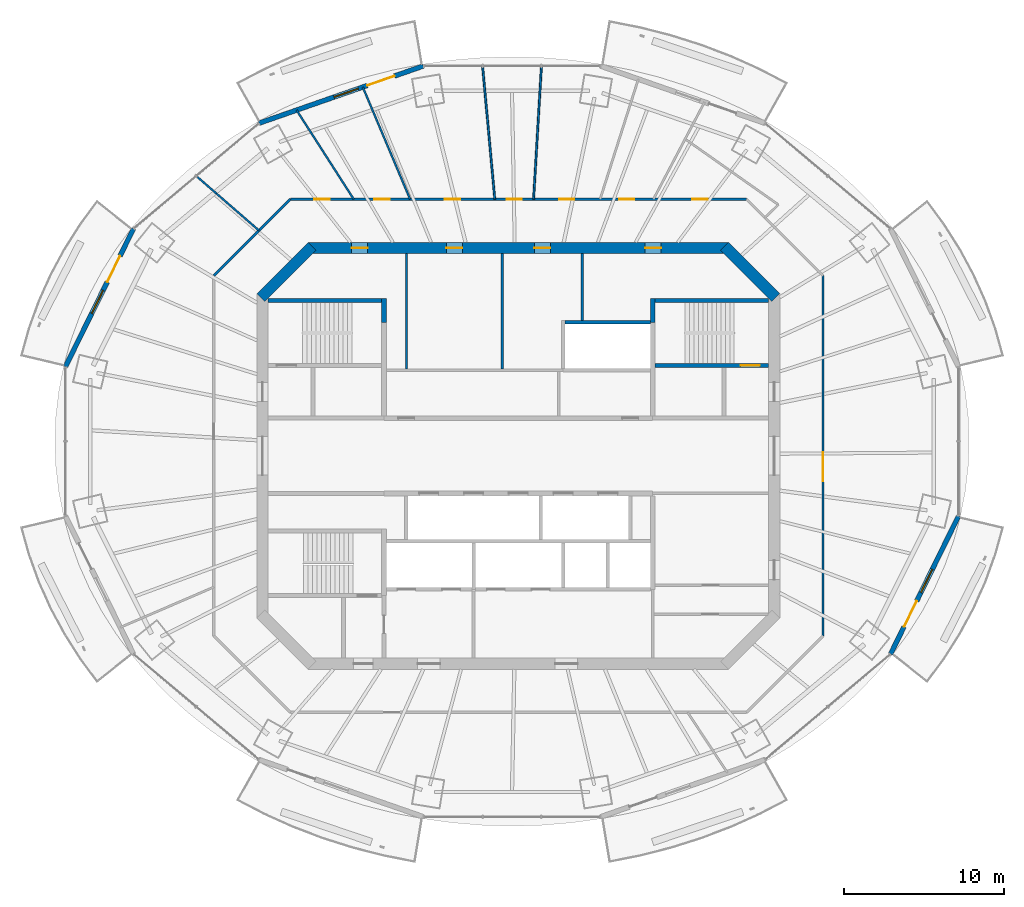
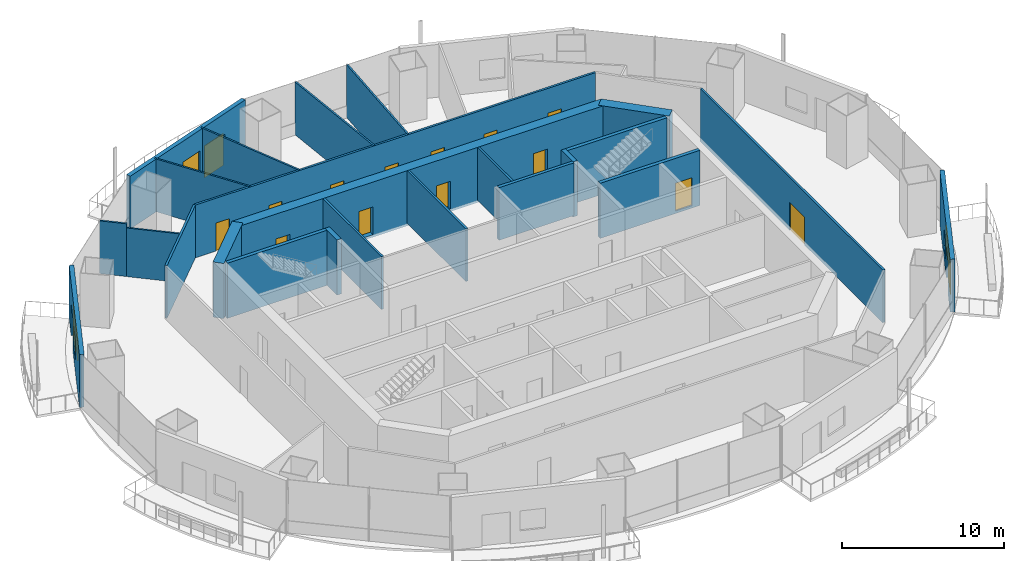
# One storey, part 10 of 16: 24 walls, 16 doors, 3 windows, 19 openings.
"""IFC4 building model written with IfcOpenShell, lengths in metres."""

from ifc_helpers import new_model, si_unit, direction, frame, frame_2d, origin, place, context, subcontext, project, spatial, rectangle, extrude, material, layer, layer_set, type_object, element, fill, save


model = new_model("IFC4")

# Units and contexts
model_context = context("Model", 3, precision=1e-05, world=origin(), true_north=direction((0.0, 1.0)))
body_context = subcontext(model_context, "Body", "Model", "MODEL_VIEW")
ifc_project = project(units=[si_unit("LENGTHUNIT", "METRE"), si_unit("AREAUNIT", "SQUARE_METRE"), si_unit("VOLUMEUNIT", "CUBIC_METRE"), si_unit("PLANEANGLEUNIT", "RADIAN"), si_unit("MASSUNIT", "GRAM", prefix="KILO")], contexts=[model_context])

# Site, building, storey
site_placement = place(None, origin())
site = spatial("IfcSite", under=ifc_project, at=site_placement, CompositionType="ELEMENT")
building_placement = place(site_placement, origin())
building = spatial("IfcBuilding", under=site, at=building_placement, Name="Marenthal Gate Tower", CompositionType="ELEMENT")
storey_placement = place(building_placement, frame((0.0, 0.0, 296.949951171875)))
storey = spatial("IfcBuildingStorey", under=building, at=storey_placement, Name="L66", CompositionType="ELEMENT", Elevation=296.949951171875)

# Wall
ifc_material_1 = material(Name="Concrete 60 MPa", Category="concrete")
ifc_layer_1 = layer(ifc_material_1, 0.699951171875)
ifc_layer_set_1 = layer_set([ifc_layer_1], Name="Core shear wall 700")
wall_type_1 = type_object("IfcWallType", Name="Core shear wall 700", PredefinedType="SHEAR", material=ifc_layer_set_1)
wall_1_placement = place(storey_placement, frame((16.1025390625, 9.8974609375, -0.179931640625), z_axis=(0.0, 0.0, 1.0), x_axis=(-0.707106781187, 0.707106781187, 0.0)))
element("IfcWall", 1, at=wall_1_placement, inside=storey, type_object=wall_type_1, Name="Core wall 03", PredefinedType="SHEAR", context=body_context, shape_type="SweptSolid", body=[
    extrude(rectangle(XDim=4.53271484375, YDim=0.699951171875, at=frame_2d((2.266357421875, 0.0))), origin(), (0.0, 0.0, 1.0), 4.14990234375),
])

# Wall, openings, doors
wall_2_placement = place(storey_placement, frame((13.14501953125, 13.0, -0.179931640625), z_axis=(0.0, 0.0, 1.0), x_axis=(-1.0, 0.0, 0.0)))
wall_2 = element("IfcWall", 2, at=wall_2_placement, inside=storey, type_object=wall_type_1, Name="Core wall 04", PredefinedType="SHEAR", context=body_context, shape_type="SweptSolid", body=[
    extrude(rectangle(XDim=26.2900390625, YDim=0.699951171875, at=frame_2d((13.14501953125, 0.0))), origin(), (0.0, 0.0, 1.0), 4.14990234375),
])
opening_1_placement = place(wall_2_placement, frame((22.57275390625, 0.0, 0.179931640625)))
opening_1 = element("IfcOpeningElement", 3, at=opening_1_placement, cuts=wall_2, Name="Opening D005.03", PredefinedType="OPENING", context=body_context, shape_type="SweptSolid", body=[
    extrude(rectangle(XDim=1.0, YDim=2.10009765625, at=frame_2d((0.5, 1.050048828125))), frame((0.0, 0.35986328125, 0.0), z_axis=(0.0, -1.0, 0.0), x_axis=(1.0, 0.0, 0.0)), (0.0, 0.0, 1.0), 0.719970703125),
])
opening_2_placement = place(wall_2_placement, frame((16.64501953125, 0.0, 0.179931640625)))
opening_2 = element("IfcOpeningElement", 4, at=opening_2_placement, cuts=wall_2, Name="Opening D005.04", PredefinedType="OPENING", context=body_context, shape_type="SweptSolid", body=[
    extrude(rectangle(XDim=1.0, YDim=2.10009765625, at=frame_2d((0.5, 1.050048828125))), frame((0.0, 0.35986328125, 0.0), z_axis=(0.0, -1.0, 0.0), x_axis=(1.0, 0.0, 0.0)), (0.0, 0.0, 1.0), 0.719970703125),
])
opening_3_placement = place(wall_2_placement, frame((11.14501953125, 0.0, 0.179931640625)))
opening_3 = element("IfcOpeningElement", 5, at=opening_3_placement, cuts=wall_2, Name="Opening D005.05", PredefinedType="OPENING", context=body_context, shape_type="SweptSolid", body=[
    extrude(rectangle(XDim=1.0, YDim=2.10009765625, at=frame_2d((0.5, 1.050048828125))), frame((0.0, 0.35986328125, 0.0), z_axis=(0.0, -1.0, 0.0), x_axis=(1.0, 0.0, 0.0)), (0.0, 0.0, 1.0), 0.719970703125),
])
opening_4_placement = place(wall_2_placement, frame((4.21728515625, 0.0, 0.179931640625)))
opening_4 = element("IfcOpeningElement", 6, at=opening_4_placement, cuts=wall_2, Name="Opening D005.06", PredefinedType="OPENING", context=body_context, shape_type="SweptSolid", body=[
    extrude(rectangle(XDim=1.0, YDim=2.10009765625, at=frame_2d((0.5, 1.050048828125))), frame((0.0, 0.35986328125, 0.0), z_axis=(0.0, -1.0, 0.0), x_axis=(1.0, 0.0, 0.0)), (0.0, 0.0, 1.0), 0.719970703125),
])
ifc_material_2 = material(Name="Steel fire door", Category="steel")
door_type_1 = type_object("IfcDoorType", Name="Fire door FD 45 1000 x 2100", OperationType="NOTDEFINED", PredefinedType="DOOR", material=ifc_material_2)
door_1_placement = place(opening_1_placement, origin())
door_1 = element("IfcDoor", 7, at=door_1_placement, inside=storey, type_object=door_type_1, Name="Door D005.03", OperationType="SINGLE_SWING_RIGHT", OverallHeight=2.10009765625, OverallWidth=1.0, PredefinedType="DOOR", context=body_context, shape_type="SweptSolid", body=[
    extrude(rectangle(XDim=1.0, YDim=2.10009765625, at=frame_2d((0.5, 1.050048828125))), frame((0.0, 0.02490234375, 0.0), z_axis=(0.0, -1.0, 0.0), x_axis=(1.0, 0.0, 0.0)), (0.0, 0.0, 1.0), 0.050048828125),
])
fill(opening_1, door_1)
door_2_placement = place(opening_2_placement, origin())
door_2 = element("IfcDoor", 8, at=door_2_placement, inside=storey, type_object=door_type_1, Name="Door D005.04", OperationType="SINGLE_SWING_RIGHT", OverallHeight=2.10009765625, OverallWidth=1.0, PredefinedType="DOOR", context=body_context, shape_type="SweptSolid", body=[
    extrude(rectangle(XDim=1.0, YDim=2.10009765625, at=frame_2d((0.5, 1.050048828125))), frame((0.0, 0.02490234375, 0.0), z_axis=(0.0, -1.0, 0.0), x_axis=(1.0, 0.0, 0.0)), (0.0, 0.0, 1.0), 0.050048828125),
])
fill(opening_2, door_2)
door_3_placement = place(opening_3_placement, origin())
door_3 = element("IfcDoor", 9, at=door_3_placement, inside=storey, type_object=door_type_1, Name="Door D005.05", OperationType="SINGLE_SWING_RIGHT", OverallHeight=2.10009765625, OverallWidth=1.0, PredefinedType="DOOR", context=body_context, shape_type="SweptSolid", body=[
    extrude(rectangle(XDim=1.0, YDim=2.10009765625, at=frame_2d((0.5, 1.050048828125))), frame((0.0, 0.02490234375, 0.0), z_axis=(0.0, -1.0, 0.0), x_axis=(1.0, 0.0, 0.0)), (0.0, 0.0, 1.0), 0.050048828125),
])
fill(opening_3, door_3)
door_4_placement = place(opening_4_placement, origin())
door_4 = element("IfcDoor", 10, at=door_4_placement, inside=storey, type_object=door_type_1, Name="Door D005.06", OperationType="SINGLE_SWING_RIGHT", OverallHeight=2.10009765625, OverallWidth=1.0, PredefinedType="DOOR", context=body_context, shape_type="SweptSolid", body=[
    extrude(rectangle(XDim=1.0, YDim=2.10009765625, at=frame_2d((0.5, 1.050048828125))), frame((0.0, 0.02490234375, 0.0), z_axis=(0.0, -1.0, 0.0), x_axis=(1.0, 0.0, 0.0)), (0.0, 0.0, 1.0), 0.050048828125),
])
fill(opening_4, door_4)

# Walls
wall_3_placement = place(storey_placement, frame((-12.8974609375, 13.1025390625, -0.179931640625), z_axis=(0.0, 0.0, 1.0), x_axis=(-0.707106781187, -0.707106781187, 0.0)))
element("IfcWall", 11, at=wall_3_placement, inside=storey, type_object=wall_type_1, Name="Core wall 05", PredefinedType="SHEAR", context=body_context, shape_type="SweptSolid", body=[
    extrude(rectangle(XDim=4.53271484375, YDim=0.699951171875, at=frame_2d((2.266357421875, 0.0))), origin(), (0.0, 0.0, 1.0), 4.14990234375),
])
ifc_material_3 = material(Name="Concrete 40 MPa", Category="concrete")
ifc_layer_2 = layer(ifc_material_3, 0.219970703125)
ifc_layer_set_2 = layer_set([ifc_layer_2], Name="Hoistway wall 220")
wall_type_2 = type_object("IfcWallType", Name="Hoistway wall 220", PredefinedType="STANDARD", material=ifc_layer_set_2)
wall_4_placement = place(storey_placement, frame((2.909912109375, 8.35009765625, 0.0), z_axis=(0.0, 0.0, 1.0), x_axis=(1.0, 0.0, 0.0)))
element("IfcWall", 12, at=wall_4_placement, inside=storey, type_object=wall_type_2, Name="Hoistway wall 26", PredefinedType="STANDARD", context=body_context, shape_type="SweptSolid", body=[
    extrude(rectangle(XDim=5.340087890625, YDim=0.219970703125, at=frame_2d((2.669921875, 0.0))), origin(), (0.0, 0.0, 1.0), 3.969970703125),
])
ifc_material_4 = material(Name="Gypsum board on steel studs", Category="steel")
ifc_layer_3 = layer(ifc_material_4, 0.1201171875)
ifc_layer_set_3 = layer_set([ifc_layer_3], Name="Partition 120")
wall_type_3 = type_object("IfcWallType", Name="Partition 120", PredefinedType="PARTITIONING", material=ifc_layer_set_3)
wall_5_placement = place(storey_placement, frame((-16.222412109375, 14.091064453125, 0.0), z_axis=(0.0, 0.0, 1.0), x_axis=(-0.75497337259, 0.655755447313, 0.0)))
element("IfcWall", 13, at=wall_5_placement, inside=storey, type_object=wall_type_3, Name="Partition wall 55", PredefinedType="PARTITIONING", context=body_context, shape_type="SweptSolid", body=[
    extrude(rectangle(XDim=3.513916015625, YDim=0.1201171875, at=frame_2d((1.7568359375, 0.0))), origin(), (0.0, 0.0, 1.0), 3.66015625),
])
wall_6_placement = place(storey_placement, frame((-18.875244140625, 16.395263671875, 0.0), z_axis=(0.0, 0.0, 1.0), x_axis=(-0.754938829858, 0.655795214357, 0.0)))
element("IfcWall", 14, at=wall_6_placement, inside=storey, type_object=wall_type_3, Name="Partition wall 71", PredefinedType="PARTITIONING", context=body_context, shape_type="SweptSolid", body=[
    extrude(rectangle(XDim=1.686767578125, YDim=0.1201171875, at=frame_2d((0.84326171875, 0.0))), origin(), (0.0, 0.0, 1.0), 3.969970703125),
])
wall_7_placement = place(storey_placement, frame((-10.29931640625, 16.050048828125, 0.0), z_axis=(0.0, 0.0, 1.0), x_axis=(-0.540034071495, 0.841643155752, 0.0)))
element("IfcWall", 15, at=wall_7_placement, inside=storey, type_object=wall_type_3, Name="Partition wall 58", PredefinedType="PARTITIONING", context=body_context, shape_type="SweptSolid", body=[
    extrude(rectangle(XDim=6.618896484375, YDim=0.1201171875, at=frame_2d((3.3095703125, 0.0))), origin(), (0.0, 0.0, 1.0), 3.969970703125),
])
wall_8_placement = place(storey_placement, frame((-6.7734375, 16.050048828125, 0.0), z_axis=(0.0, 0.0, 1.0), x_axis=(-0.388811119227, 0.92131748793, 0.0)))
element("IfcWall", 16, at=wall_8_placement, inside=storey, type_object=wall_type_3, Name="Partition wall 59", PredefinedType="PARTITIONING", context=body_context, shape_type="SweptSolid", body=[
    extrude(rectangle(XDim=7.611572265625, YDim=0.1201171875, at=frame_2d((3.8056640625, 0.0))), origin(), (0.0, 0.0, 1.0), 3.969970703125),
])
wall_9_placement = place(storey_placement, frame((-1.47607421875, 16.050048828125, 0.0), z_axis=(0.0, 0.0, 1.0), x_axis=(-0.09154907724, 0.995800565604, 0.0)))
element("IfcWall", 17, at=wall_9_placement, inside=storey, type_object=wall_type_3, Name="Partition wall 60", PredefinedType="PARTITIONING", context=body_context, shape_type="SweptSolid", body=[
    extrude(rectangle(XDim=8.363037109375, YDim=0.1201171875, at=frame_2d((4.181640625, 0.0))), origin(), (0.0, 0.0, 1.0), 3.969970703125),
])
wall_10_placement = place(storey_placement, frame((0.94921875, 16.050048828125, 0.0), z_axis=(0.0, 0.0, 1.0), x_axis=(0.059056546613, 0.998254639009, 0.0)))
element("IfcWall", 18, at=wall_10_placement, inside=storey, type_object=wall_type_3, Name="Partition wall 61", PredefinedType="PARTITIONING", context=body_context, shape_type="SweptSolid", body=[
    extrude(rectangle(XDim=8.342529296875, YDim=0.1201171875, at=frame_2d((4.17138671875, 0.0))), origin(), (0.0, 0.0, 1.0), 3.969970703125),
])
ifc_material_5 = material(Name="Gypsum board on steel studs", Category="steel")
ifc_layer_4 = layer(ifc_material_5, 0.14990234375)
ifc_layer_set_4 = layer_set([ifc_layer_4], Name="Partition 150")
wall_type_4 = type_object("IfcWallType", Name="Partition 150", PredefinedType="PARTITIONING", material=ifc_layer_set_4)
for number, where, z_axis, x_axis, name in (
    (19, (-7.0, 5.425048828125, 0.0), (0.0, 0.0, 1.0), (0.0, 1.0, 0.0), "Partition wall 36"),
    (20, (-1.0, 5.425048828125, 0.0), (0.0, 0.0, 1.0), (0.0, 1.0, 0.0), "Partition wall 39"),
):
    element("IfcWall", number, at=place(storey_placement, frame(where, z_axis=z_axis, x_axis=x_axis)), inside=storey, type_object=wall_type_4, Name=name, PredefinedType="PARTITIONING", context=body_context, shape_type="SweptSolid", body=[
        extrude(rectangle(XDim=7.224853515625, YDim=0.14990234375, at=frame_2d((3.6123046875, 0.0))), origin(), (0.0, 0.0, 1.0), 3.969970703125),
    ])
wall_11_placement = place(storey_placement, frame((4.0, 8.4599609375, 0.0), z_axis=(0.0, 0.0, 1.0), x_axis=(0.0, 1.0, 0.0)))
element("IfcWall", 21, at=wall_11_placement, inside=storey, type_object=wall_type_4, Name="Partition wall 44", PredefinedType="PARTITIONING", context=body_context, shape_type="SweptSolid", body=[
    extrude(rectangle(XDim=4.18994140625, YDim=0.14990234375, at=frame_2d((2.094970703125, 0.0))), origin(), (0.0, 0.0, 1.0), 3.969970703125),
])
wall_12_placement = place(storey_placement, frame((-19.050048828125, 11.263427734375, 0.0), z_axis=(0.0, 0.0, 1.0), x_axis=(0.707106781187, 0.707106781187, 0.0)))
element("IfcWall", 22, at=wall_12_placement, inside=storey, type_object=wall_type_4, Name="Partition wall 54", PredefinedType="PARTITIONING", context=body_context, shape_type="SweptSolid", body=[
    extrude(rectangle(XDim=6.769287109375, YDim=0.14990234375, at=frame_2d((3.384765625, 0.0))), origin(), (0.0, 0.0, 1.0), 3.969970703125),
])

# Wall, openings, doors
wall_13_placement = place(storey_placement, frame((-14.263427734375, 16.050048828125, 0.0), z_axis=(0.0, 0.0, 1.0), x_axis=(1.0, 0.0, 0.0)))
wall_13 = element("IfcWall", 23, at=wall_13_placement, inside=storey, type_object=wall_type_4, Name="Partition wall 57", PredefinedType="PARTITIONING", context=body_context, shape_type="SweptSolid", body=[
    extrude(rectangle(XDim=28.52685546875, YDim=0.14990234375, at=frame_2d((14.263427734375, 0.0))), origin(), (0.0, 0.0, 1.0), 3.969970703125),
])
opening_5_placement = place(wall_13_placement, frame((25.14404296875, 0.0, 0.0)))
opening_5 = element("IfcOpeningElement", 24, at=opening_5_placement, cuts=wall_13, Name="Opening D016.01", PredefinedType="OPENING", context=body_context, shape_type="SweptSolid", body=[
    extrude(rectangle(XDim=0.949951171875, YDim=2.10009765625, at=frame_2d((0.47509765625, 1.050048828125))), frame((0.0, 0.0849609375, 0.0), z_axis=(0.0, -1.0, 0.0), x_axis=(1.0, 0.0, 0.0)), (0.0, 0.0, 1.0), 0.169921875),
])
opening_6_placement = place(wall_13_placement, frame((20.56689453125, 0.0, 0.0)))
opening_6 = element("IfcOpeningElement", 25, at=opening_6_placement, cuts=wall_13, Name="Opening D016.02", PredefinedType="OPENING", context=body_context, shape_type="SweptSolid", body=[
    extrude(rectangle(XDim=0.949951171875, YDim=2.10009765625, at=frame_2d((0.47509765625, 1.050048828125))), frame((0.0, 0.0849609375, 0.0), z_axis=(0.0, -1.0, 0.0), x_axis=(1.0, 0.0, 0.0)), (0.0, 0.0, 1.0), 0.169921875),
])
opening_7_placement = place(wall_13_placement, frame((16.818115234375, 0.0, 0.0)))
opening_7 = element("IfcOpeningElement", 26, at=opening_7_placement, cuts=wall_13, Name="Opening D016.03", PredefinedType="OPENING", context=body_context, shape_type="SweptSolid", body=[
    extrude(rectangle(XDim=0.949951171875, YDim=2.10009765625, at=frame_2d((0.47509765625, 1.050048828125))), frame((0.0, 0.0849609375, 0.0), z_axis=(0.0, -1.0, 0.0), x_axis=(1.0, 0.0, 0.0)), (0.0, 0.0, 1.0), 0.169921875),
])
opening_8_placement = place(wall_13_placement, frame((13.52490234375, 0.0, 0.0)))
opening_8 = element("IfcOpeningElement", 27, at=opening_8_placement, cuts=wall_13, Name="Opening D016.04", PredefinedType="OPENING", context=body_context, shape_type="SweptSolid", body=[
    extrude(rectangle(XDim=0.949951171875, YDim=2.10009765625, at=frame_2d((0.47509765625, 1.050048828125))), frame((0.0, 0.0849609375, 0.0), z_axis=(0.0, -1.0, 0.0), x_axis=(1.0, 0.0, 0.0)), (0.0, 0.0, 1.0), 0.169921875),
])
opening_9_placement = place(wall_13_placement, frame((9.6640625, 0.0, 0.0)))
opening_9 = element("IfcOpeningElement", 28, at=opening_9_placement, cuts=wall_13, Name="Opening D016.05", PredefinedType="OPENING", context=body_context, shape_type="SweptSolid", body=[
    extrude(rectangle(XDim=0.949951171875, YDim=2.10009765625, at=frame_2d((0.47509765625, 1.050048828125))), frame((0.0, 0.0849609375, 0.0), z_axis=(0.0, -1.0, 0.0), x_axis=(1.0, 0.0, 0.0)), (0.0, 0.0, 1.0), 0.169921875),
])
opening_10_placement = place(wall_13_placement, frame((5.251953125, 0.0, 0.0)))
opening_10 = element("IfcOpeningElement", 29, at=opening_10_placement, cuts=wall_13, Name="Opening D016.06", PredefinedType="OPENING", context=body_context, shape_type="SweptSolid", body=[
    extrude(rectangle(XDim=0.949951171875, YDim=2.10009765625, at=frame_2d((0.47509765625, 1.050048828125))), frame((0.0, 0.0849609375, 0.0), z_axis=(0.0, -1.0, 0.0), x_axis=(1.0, 0.0, 0.0)), (0.0, 0.0, 1.0), 0.169921875),
])
opening_11_placement = place(wall_13_placement, frame((1.507080078125, 0.0, 0.0)))
opening_11 = element("IfcOpeningElement", 30, at=opening_11_placement, cuts=wall_13, Name="Opening D016.07", PredefinedType="OPENING", context=body_context, shape_type="SweptSolid", body=[
    extrude(rectangle(XDim=0.949951171875, YDim=2.10009765625, at=frame_2d((0.47509765625, 1.050048828125))), frame((0.0, 0.0849609375, 0.0), z_axis=(0.0, -1.0, 0.0), x_axis=(1.0, 0.0, 0.0)), (0.0, 0.0, 1.0), 0.169921875),
])
ifc_material_6 = material(Name="Timber door", Category="wood")
door_type_2 = type_object("IfcDoorType", Name="Door 950 x 2100", OperationType="NOTDEFINED", PredefinedType="DOOR", material=ifc_material_6)
door_5_placement = place(opening_5_placement, origin())
door_5 = element("IfcDoor", 31, at=door_5_placement, inside=storey, type_object=door_type_2, Name="Door D016.01", OperationType="SINGLE_SWING_RIGHT", OverallHeight=2.10009765625, OverallWidth=0.949951171875, PredefinedType="DOOR", context=body_context, shape_type="SweptSolid", body=[
    extrude(rectangle(XDim=0.949951171875, YDim=2.10009765625, at=frame_2d((0.47509765625, 1.050048828125))), frame((0.0, 0.02490234375, 0.0), z_axis=(0.0, -1.0, 0.0), x_axis=(1.0, 0.0, 0.0)), (0.0, 0.0, 1.0), 0.050048828125),
])
fill(opening_5, door_5)
door_6_placement = place(opening_6_placement, origin())
door_6 = element("IfcDoor", 32, at=door_6_placement, inside=storey, type_object=door_type_2, Name="Door D016.02", OperationType="SINGLE_SWING_RIGHT", OverallHeight=2.10009765625, OverallWidth=0.949951171875, PredefinedType="DOOR", context=body_context, shape_type="SweptSolid", body=[
    extrude(rectangle(XDim=0.949951171875, YDim=2.10009765625, at=frame_2d((0.47509765625, 1.050048828125))), frame((0.0, 0.02490234375, 0.0), z_axis=(0.0, -1.0, 0.0), x_axis=(1.0, 0.0, 0.0)), (0.0, 0.0, 1.0), 0.050048828125),
])
fill(opening_6, door_6)
door_7_placement = place(opening_7_placement, origin())
door_7 = element("IfcDoor", 33, at=door_7_placement, inside=storey, type_object=door_type_2, Name="Door D016.03", OperationType="SINGLE_SWING_RIGHT", OverallHeight=2.10009765625, OverallWidth=0.949951171875, PredefinedType="DOOR", context=body_context, shape_type="SweptSolid", body=[
    extrude(rectangle(XDim=0.949951171875, YDim=2.10009765625, at=frame_2d((0.47509765625, 1.050048828125))), frame((0.0, 0.02490234375, 0.0), z_axis=(0.0, -1.0, 0.0), x_axis=(1.0, 0.0, 0.0)), (0.0, 0.0, 1.0), 0.050048828125),
])
fill(opening_7, door_7)
door_8_placement = place(opening_8_placement, origin())
door_8 = element("IfcDoor", 34, at=door_8_placement, inside=storey, type_object=door_type_2, Name="Door D016.04", OperationType="SINGLE_SWING_RIGHT", OverallHeight=2.10009765625, OverallWidth=0.949951171875, PredefinedType="DOOR", context=body_context, shape_type="SweptSolid", body=[
    extrude(rectangle(XDim=0.949951171875, YDim=2.10009765625, at=frame_2d((0.47509765625, 1.050048828125))), frame((0.0, 0.02490234375, 0.0), z_axis=(0.0, -1.0, 0.0), x_axis=(1.0, 0.0, 0.0)), (0.0, 0.0, 1.0), 0.050048828125),
])
fill(opening_8, door_8)
door_9_placement = place(opening_9_placement, origin())
door_9 = element("IfcDoor", 35, at=door_9_placement, inside=storey, type_object=door_type_2, Name="Door D016.05", OperationType="SINGLE_SWING_RIGHT", OverallHeight=2.10009765625, OverallWidth=0.949951171875, PredefinedType="DOOR", context=body_context, shape_type="SweptSolid", body=[
    extrude(rectangle(XDim=0.949951171875, YDim=2.10009765625, at=frame_2d((0.47509765625, 1.050048828125))), frame((0.0, 0.02490234375, 0.0), z_axis=(0.0, -1.0, 0.0), x_axis=(1.0, 0.0, 0.0)), (0.0, 0.0, 1.0), 0.050048828125),
])
fill(opening_9, door_9)
door_10_placement = place(opening_10_placement, origin())
door_10 = element("IfcDoor", 36, at=door_10_placement, inside=storey, type_object=door_type_2, Name="Door D016.06", OperationType="SINGLE_SWING_RIGHT", OverallHeight=2.10009765625, OverallWidth=0.949951171875, PredefinedType="DOOR", context=body_context, shape_type="SweptSolid", body=[
    extrude(rectangle(XDim=0.949951171875, YDim=2.10009765625, at=frame_2d((0.47509765625, 1.050048828125))), frame((0.0, 0.02490234375, 0.0), z_axis=(0.0, -1.0, 0.0), x_axis=(1.0, 0.0, 0.0)), (0.0, 0.0, 1.0), 0.050048828125),
])
fill(opening_10, door_10)
door_11_placement = place(opening_11_placement, origin())
door_11 = element("IfcDoor", 37, at=door_11_placement, inside=storey, type_object=door_type_2, Name="Door D016.07", OperationType="SINGLE_SWING_RIGHT", OverallHeight=2.10009765625, OverallWidth=0.949951171875, PredefinedType="DOOR", context=body_context, shape_type="SweptSolid", body=[
    extrude(rectangle(XDim=0.949951171875, YDim=2.10009765625, at=frame_2d((0.47509765625, 1.050048828125))), frame((0.0, 0.02490234375, 0.0), z_axis=(0.0, -1.0, 0.0), x_axis=(1.0, 0.0, 0.0)), (0.0, 0.0, 1.0), 0.050048828125),
])
fill(opening_11, door_11)

# Wall, opening, door
wall_14_placement = place(storey_placement, frame((19.050048828125, 11.263427734375, 0.0), z_axis=(0.0, 0.0, 1.0), x_axis=(0.0, -1.0, 0.0)))
wall_14 = element("IfcWall", 38, at=wall_14_placement, inside=storey, type_object=wall_type_4, Name="Partition wall 70", PredefinedType="PARTITIONING", context=body_context, shape_type="SweptSolid", body=[
    extrude(rectangle(XDim=22.52685546875, YDim=0.14990234375, at=frame_2d((11.263427734375, 0.0))), origin(), (0.0, 0.0, 1.0), 3.969970703125),
])
opening_12_placement = place(wall_14_placement, frame((11.0419921875, 0.0, 0.0)))
opening_12 = element("IfcOpeningElement", 39, at=opening_12_placement, cuts=wall_14, Name="Opening D014.01", PredefinedType="OPENING", context=body_context, shape_type="SweptSolid", body=[
    extrude(rectangle(XDim=1.800048828125, YDim=2.10009765625, at=frame_2d((0.89990234375, 1.050048828125))), frame((0.0, 0.0849609375, 0.0), z_axis=(0.0, -1.0, 0.0), x_axis=(1.0, 0.0, 0.0)), (0.0, 0.0, 1.0), 0.169921875),
])
ifc_material_7 = material(Name="Timber door", Category="wood")
door_type_3 = type_object("IfcDoorType", Name="Double door 1800 x 2100", OperationType="DOUBLE_DOOR_SINGLE_SWING", PredefinedType="DOOR", material=ifc_material_7)
door_12_placement = place(opening_12_placement, origin())
door_12 = element("IfcDoor", 40, at=door_12_placement, inside=storey, type_object=door_type_3, Name="Door D014.01", OperationType="DOUBLE_DOOR_SINGLE_SWING", OverallHeight=2.10009765625, OverallWidth=1.800048828125, PredefinedType="DOOR", context=body_context, shape_type="SweptSolid", body=[
    extrude(rectangle(XDim=1.800048828125, YDim=2.10009765625, at=frame_2d((0.89990234375, 1.050048828125))), frame((0.0, 0.02490234375, 0.0), z_axis=(0.0, -1.0, 0.0), x_axis=(1.0, 0.0, 0.0)), (0.0, 0.0, 1.0), 0.050048828125),
])
fill(opening_12, door_12)

ifc_material_8 = material(Name="Concrete 50 MPa", Category="concrete")
ifc_layer_5 = layer(ifc_material_8, 0.25)
ifc_layer_set_5 = layer_set([ifc_layer_5], Name="Stair shear wall 250")
wall_type_5 = type_object("IfcWallType", Name="Stair shear wall 250", PredefinedType="SHEAR", material=ifc_layer_set_5)
wall_15_placement = place(storey_placement, frame((8.550048828125, 5.64990234375, -0.179931640625), z_axis=(0.0, 0.0, 1.0), x_axis=(1.0, 0.0, 0.0)))
wall_15 = element("IfcWall", 41, at=wall_15_placement, inside=storey, type_object=wall_type_5, Name="Stair wall 25", PredefinedType="SHEAR", context=body_context, shape_type="SweptSolid", body=[
    extrude(rectangle(XDim=7.099853515625, YDim=0.25, at=frame_2d((3.5498046875, 0.0))), origin(), (0.0, 0.0, 1.0), 4.14990234375),
])
opening_13_placement = place(wall_15_placement, frame((5.35009765625, 0.0, 0.179931640625)))
opening_13 = element("IfcOpeningElement", 42, at=opening_13_placement, cuts=wall_15, Name="Opening D001.02", PredefinedType="OPENING", context=body_context, shape_type="SweptSolid", body=[
    extrude(rectangle(XDim=1.199951171875, YDim=2.10009765625, at=frame_2d((0.60009765625, 1.050048828125))), frame((0.0, 0.135009765625, 0.0), z_axis=(0.0, -1.0, 0.0), x_axis=(1.0, 0.0, 0.0)), (0.0, 0.0, 1.0), 0.27001953125),
])
ifc_material_9 = material(Name="Steel fire door", Category="steel")
door_type_4 = type_object("IfcDoorType", Name="Fire door FD 90 1200 x 2100", OperationType="NOTDEFINED", PredefinedType="DOOR", material=ifc_material_9)
door_13_placement = place(opening_13_placement, origin())
door_13 = element("IfcDoor", 43, at=door_13_placement, inside=storey, type_object=door_type_4, Name="Door D001.02", OperationType="SINGLE_SWING_RIGHT", OverallHeight=2.10009765625, OverallWidth=1.199951171875, PredefinedType="DOOR", context=body_context, shape_type="SweptSolid", body=[
    extrude(rectangle(XDim=1.199951171875, YDim=2.10009765625, at=frame_2d((0.60009765625, 1.050048828125))), frame((0.0, 0.02490234375, 0.0), z_axis=(0.0, -1.0, 0.0), x_axis=(1.0, 0.0, 0.0)), (0.0, 0.0, 1.0), 0.050048828125),
])
fill(opening_13, door_13)

# Walls
for number, where, z_axis, x_axis, name in (
    (44, (-15.64990234375, 9.699951171875, -0.179931640625), (0.0, 0.0, 1.0), (1.0, 0.0, 0.0), "Stair wall 27"),
    (45, (8.550048828125, 9.699951171875, -0.179931640625), (0.0, 0.0, 1.0), (1.0, 0.0, 0.0), "Stair wall 28"),
):
    element("IfcWall", number, at=place(storey_placement, frame(where, z_axis=z_axis, x_axis=x_axis)), inside=storey, type_object=wall_type_5, Name=name, PredefinedType="SHEAR", context=body_context, shape_type="SweptSolid", body=[
        extrude(rectangle(XDim=7.099853515625, YDim=0.25, at=frame_2d((3.5498046875, 0.0))), origin(), (0.0, 0.0, 1.0), 4.14990234375),
    ])
ifc_material_10 = material(Name="Concrete 50 MPa", Category="concrete")
ifc_layer_6 = layer(ifc_material_10, 0.300048828125)
ifc_layer_set_6 = layer_set([ifc_layer_6], Name="Stair shear wall 300")
wall_type_6 = type_object("IfcWallType", Name="Stair shear wall 300", PredefinedType="SHEAR", material=ifc_layer_set_6)
for number, where, z_axis, x_axis, name in (
    (46, (-8.39990234375, 8.35009765625, -0.179931640625), (0.0, 0.0, 1.0), (0.0, 1.0, 0.0), "Stair wall 34"),
    (47, (8.39990234375, 8.35009765625, -0.179931640625), (0.0, 0.0, 1.0), (0.0, 1.0, 0.0), "Stair wall 50"),
):
    element("IfcWall", number, at=place(storey_placement, frame(where, z_axis=z_axis, x_axis=x_axis)), inside=storey, type_object=wall_type_6, Name=name, PredefinedType="SHEAR", context=body_context, shape_type="SweptSolid", body=[
        extrude(rectangle(XDim=1.474853515625, YDim=0.300048828125, at=frame_2d((0.7373046875, 0.0))), origin(), (0.0, 0.0, 1.0), 4.14990234375),
    ])

# Wall, openings, door, window
ifc_material_11 = material(Name="Terracotta cladding on insulated concrete-block backing", Category="masonry")
ifc_layer_7 = layer(ifc_material_11, 0.300048828125)
ifc_layer_set_7 = layer_set([ifc_layer_7], Name="Terracotta facade wall 300")
wall_type_7 = type_object("IfcWallType", Name="Terracotta facade wall 300", PredefinedType="SOLIDWALL", material=ifc_layer_set_7)
wall_16_placement = place(storey_placement, frame((-5.955322265625, 24.3779296875, 0.0), z_axis=(0.0, 0.0, 1.0), x_axis=(-0.944390086162, -0.328827257323, 0.0)))
wall_16 = element("IfcWall", 48, at=wall_16_placement, inside=storey, type_object=wall_type_7, Name="Terracotta facade wall L66 bay 5", PredefinedType="SOLIDWALL", context=body_context, shape_type="SweptSolid", body=[
    extrude(rectangle(XDim=10.86962890625, YDim=0.300048828125, at=frame_2d((5.434814453125, 0.0))), origin(), (0.0, 0.0, 1.0), 3.969970703125),
])
opening_14_placement = place(wall_16_placement, frame((1.89990234375, 0.0, 0.0)))
opening_14 = element("IfcOpeningElement", 49, at=opening_14_placement, cuts=wall_16, Name="Opening BD-L66-05", PredefinedType="OPENING", context=body_context, shape_type="SweptSolid", body=[
    extrude(rectangle(XDim=1.800048828125, YDim=2.39990234375, at=frame_2d((0.89990234375, 1.199951171875))), frame((0.0, 0.16015625, 0.0), z_axis=(0.0, -1.0, 0.0), x_axis=(1.0, 0.0, 0.0)), (0.0, 0.0, 1.0), 0.320068359375),
])
opening_15_placement = place(wall_16_placement, frame((4.300048828125, 0.0, 0.89990234375)))
opening_15 = element("IfcOpeningElement", 50, at=opening_15_placement, cuts=wall_16, Name="Opening WN3-L66-05", PredefinedType="OPENING", context=body_context, shape_type="SweptSolid", body=[
    extrude(rectangle(XDim=1.60009765625, YDim=1.5, at=frame_2d((0.800048828125, 0.75))), frame((0.0, 0.16015625, 0.0), z_axis=(0.0, -1.0, 0.0), x_axis=(1.0, 0.0, 0.0)), (0.0, 0.0, 1.0), 0.320068359375),
])
ifc_material_12 = material(Name="Aluminium and glass", Category="aluminium")
door_type_5 = type_object("IfcDoorType", Name="Balcony door 1800x2400", OperationType="DOUBLE_DOOR_SINGLE_SWING", PredefinedType="DOOR", material=ifc_material_12)
door_14_placement = place(opening_14_placement, origin())
door_14 = element("IfcDoor", 51, at=door_14_placement, inside=storey, type_object=door_type_5, Name="Balcony door L66 bay 5", OperationType="SINGLE_SWING_LEFT", OverallHeight=2.39990234375, OverallWidth=1.800048828125, PredefinedType="DOOR", context=body_context, shape_type="SweptSolid", body=[
    extrude(rectangle(XDim=1.800048828125, YDim=2.39990234375, at=frame_2d((0.89990234375, 1.199951171875))), frame((0.0, 0.02490234375, 0.0), z_axis=(0.0, -1.0, 0.0), x_axis=(1.0, 0.0, 0.0)), (0.0, 0.0, 1.0), 0.050048828125),
])
fill(opening_14, door_14)
ifc_material_13 = material(Name="Aluminium and glass", Category="aluminium")
window_type = type_object("IfcWindowType", Name="Window 1600x1500", PartitioningType="DOUBLE_PANEL_VERTICAL", PredefinedType="WINDOW", material=ifc_material_13)
window_1_placement = place(opening_15_placement, origin())
window_1 = element("IfcWindow", 52, at=window_1_placement, inside=storey, type_object=window_type, Name="Window L66 bay 5", OverallHeight=1.5, OverallWidth=1.60009765625, PartitioningType="SINGLE_PANEL", PredefinedType="WINDOW", context=body_context, shape_type="SweptSolid", body=[
    extrude(rectangle(XDim=1.60009765625, YDim=1.5, at=frame_2d((0.800048828125, 0.75))), frame((0.0, 0.030029296875, 0.0), z_axis=(0.0, -1.0, 0.0), x_axis=(1.0, 0.0, 0.0)), (0.0, 0.0, 1.0), 0.06005859375),
])
fill(opening_15, window_1)

wall_17_placement = place(storey_placement, frame((-24.076904296875, 14.19921875, 0.0), z_axis=(0.0, 0.0, 1.0), x_axis=(-0.441998272381, -0.897015901315, 0.0)))
wall_17 = element("IfcWall", 53, at=wall_17_placement, inside=storey, type_object=wall_type_7, Name="Terracotta facade wall L66 bay 7", PredefinedType="SOLIDWALL", context=body_context, shape_type="SweptSolid", body=[
    extrude(rectangle(XDim=9.619873046875, YDim=0.300048828125, at=frame_2d((4.81005859375, 0.0))), origin(), (0.0, 0.0, 1.0), 3.969970703125),
])
opening_16_placement = place(wall_17_placement, frame((1.89990234375, 0.0, 0.0)))
opening_16 = element("IfcOpeningElement", 54, at=opening_16_placement, cuts=wall_17, Name="Opening BD-L66-07", PredefinedType="OPENING", context=body_context, shape_type="SweptSolid", body=[
    extrude(rectangle(XDim=1.800048828125, YDim=2.39990234375, at=frame_2d((0.89990234375, 1.199951171875))), frame((0.0, 0.16015625, 0.0), z_axis=(0.0, -1.0, 0.0), x_axis=(1.0, 0.0, 0.0)), (0.0, 0.0, 1.0), 0.320068359375),
])
opening_17_placement = place(wall_17_placement, frame((4.300048828125, 0.0, 0.89990234375)))
opening_17 = element("IfcOpeningElement", 55, at=opening_17_placement, cuts=wall_17, Name="Opening WN3-L66-07", PredefinedType="OPENING", context=body_context, shape_type="SweptSolid", body=[
    extrude(rectangle(XDim=1.60009765625, YDim=1.5, at=frame_2d((0.800048828125, 0.75))), frame((0.0, 0.16015625, 0.0), z_axis=(0.0, -1.0, 0.0), x_axis=(1.0, 0.0, 0.0)), (0.0, 0.0, 1.0), 0.320068359375),
])
door_15_placement = place(opening_16_placement, origin())
door_15 = element("IfcDoor", 56, at=door_15_placement, inside=storey, type_object=door_type_5, Name="Balcony door L66 bay 7", OperationType="SINGLE_SWING_LEFT", OverallHeight=2.39990234375, OverallWidth=1.800048828125, PredefinedType="DOOR", context=body_context, shape_type="SweptSolid", body=[
    extrude(rectangle(XDim=1.800048828125, YDim=2.39990234375, at=frame_2d((0.89990234375, 1.199951171875))), frame((0.0, 0.02490234375, 0.0), z_axis=(0.0, -1.0, 0.0), x_axis=(1.0, 0.0, 0.0)), (0.0, 0.0, 1.0), 0.050048828125),
])
fill(opening_16, door_15)
window_2_placement = place(opening_17_placement, origin())
window_2 = element("IfcWindow", 57, at=window_2_placement, inside=storey, type_object=window_type, Name="Window L66 bay 7", OverallHeight=1.5, OverallWidth=1.60009765625, PartitioningType="SINGLE_PANEL", PredefinedType="WINDOW", context=body_context, shape_type="SweptSolid", body=[
    extrude(rectangle(XDim=1.60009765625, YDim=1.5, at=frame_2d((0.800048828125, 0.75))), frame((0.0, 0.030029296875, 0.0), z_axis=(0.0, -1.0, 0.0), x_axis=(1.0, 0.0, 0.0)), (0.0, 0.0, 1.0), 0.06005859375),
])
fill(opening_17, window_2)

wall_18_placement = place(storey_placement, frame((23.27685546875, -12.399169921875, 0.0), z_axis=(0.0, 0.0, 1.0), x_axis=(0.441998272381, 0.897015901315, 0.0)))
wall_18 = element("IfcWall", 58, at=wall_18_placement, inside=storey, type_object=wall_type_7, Name="Terracotta facade wall L66 bay 15", PredefinedType="SOLIDWALL", context=body_context, shape_type="SweptSolid", body=[
    extrude(rectangle(XDim=9.619873046875, YDim=0.300048828125, at=frame_2d((4.81005859375, 0.0))), origin(), (0.0, 0.0, 1.0), 3.969970703125),
])
opening_18_placement = place(wall_18_placement, frame((1.89990234375, 0.0, 0.0)))
opening_18 = element("IfcOpeningElement", 59, at=opening_18_placement, cuts=wall_18, Name="Opening BD-L66-15", PredefinedType="OPENING", context=body_context, shape_type="SweptSolid", body=[
    extrude(rectangle(XDim=1.800048828125, YDim=2.39990234375, at=frame_2d((0.89990234375, 1.199951171875))), frame((0.0, 0.16015625, 0.0), z_axis=(0.0, -1.0, 0.0), x_axis=(1.0, 0.0, 0.0)), (0.0, 0.0, 1.0), 0.320068359375),
])
opening_19_placement = place(wall_18_placement, frame((4.300048828125, 0.0, 0.89990234375)))
opening_19 = element("IfcOpeningElement", 60, at=opening_19_placement, cuts=wall_18, Name="Opening WN3-L66-15", PredefinedType="OPENING", context=body_context, shape_type="SweptSolid", body=[
    extrude(rectangle(XDim=1.60009765625, YDim=1.5, at=frame_2d((0.800048828125, 0.75))), frame((0.0, 0.16015625, 0.0), z_axis=(0.0, -1.0, 0.0), x_axis=(1.0, 0.0, 0.0)), (0.0, 0.0, 1.0), 0.320068359375),
])
door_16_placement = place(opening_18_placement, origin())
door_16 = element("IfcDoor", 61, at=door_16_placement, inside=storey, type_object=door_type_5, Name="Balcony door L66 bay 15", OperationType="SINGLE_SWING_LEFT", OverallHeight=2.39990234375, OverallWidth=1.800048828125, PredefinedType="DOOR", context=body_context, shape_type="SweptSolid", body=[
    extrude(rectangle(XDim=1.800048828125, YDim=2.39990234375, at=frame_2d((0.89990234375, 1.199951171875))), frame((0.0, 0.02490234375, 0.0), z_axis=(0.0, -1.0, 0.0), x_axis=(1.0, 0.0, 0.0)), (0.0, 0.0, 1.0), 0.050048828125),
])
fill(opening_18, door_16)
window_3_placement = place(opening_19_placement, origin())
window_3 = element("IfcWindow", 62, at=window_3_placement, inside=storey, type_object=window_type, Name="Window L66 bay 15", OverallHeight=1.5, OverallWidth=1.60009765625, PartitioningType="SINGLE_PANEL", PredefinedType="WINDOW", context=body_context, shape_type="SweptSolid", body=[
    extrude(rectangle(XDim=1.60009765625, YDim=1.5, at=frame_2d((0.800048828125, 0.75))), frame((0.0, 0.030029296875, 0.0), z_axis=(0.0, -1.0, 0.0), x_axis=(1.0, 0.0, 0.0)), (0.0, 0.0, 1.0), 0.06005859375),
])
fill(opening_19, window_3)

save(model, "model.ifc")
